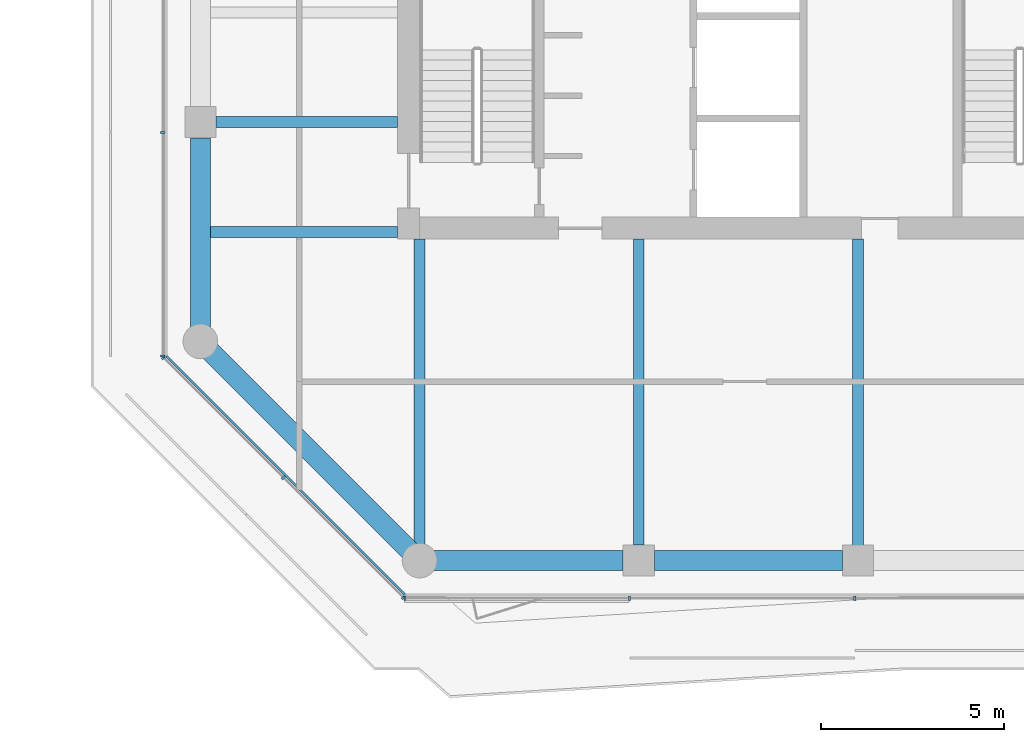
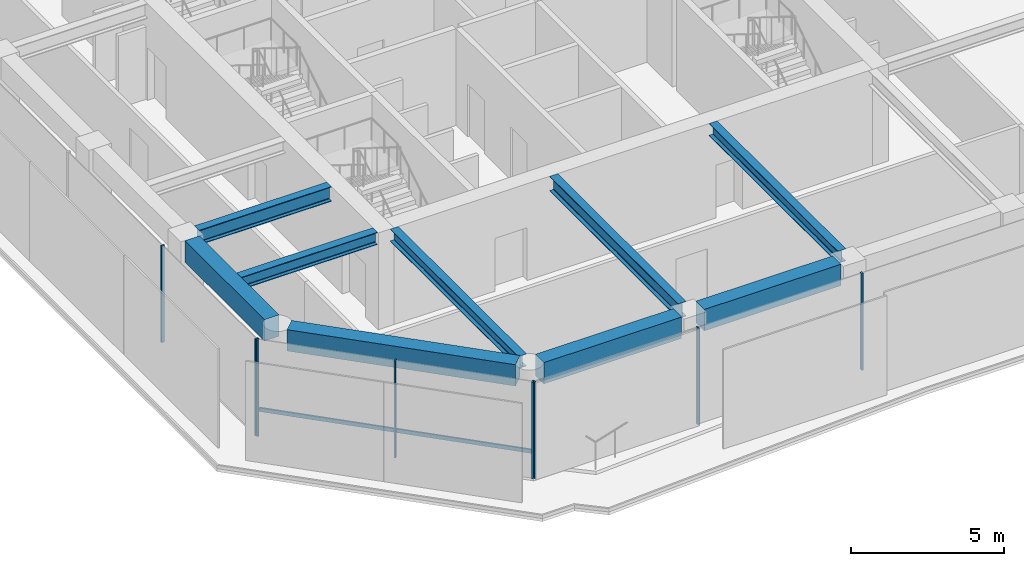
# One storey, part 2 of 21: 9 beams, 9 members, 3 elements without a shape of their own.
"""IFC4 building model written with IfcOpenShell, lengths in metres."""

from ifc_helpers import new_model, si_unit, direction, frame, origin, origin_2d, place, context, subcontext, project, spatial, rectangle, i_section, extrude, material, layer, layer_set, material_profile, profile_set, type_object, element, aggregate, save


model = new_model("IFC4")

# Units and contexts
model_context = context("Model", 3, precision=1e-05, world=origin(), true_north=direction((0.0, 1.0)))
body_context = subcontext(model_context, "Body", "Model", "MODEL_VIEW")
ifc_project = project(units=[si_unit("LENGTHUNIT", "METRE"), si_unit("AREAUNIT", "SQUARE_METRE"), si_unit("VOLUMEUNIT", "CUBIC_METRE"), si_unit("PLANEANGLEUNIT", "RADIAN"), si_unit("MASSUNIT", "GRAM", prefix="KILO")], contexts=[model_context])

# Site, building, storey
site_placement = place(None, origin())
site = spatial("IfcSite", under=ifc_project, at=site_placement, CompositionType="ELEMENT")
building_placement = place(site_placement, origin())
building = spatial("IfcBuilding", under=site, at=building_placement, Name="Welwitschia Terrace Campus", CompositionType="ELEMENT")
storey_placement = place(building_placement, frame((0.0, 0.0, 184.39990234375)))
storey = spatial("IfcBuildingStorey", under=building, at=storey_placement, Name="L41", CompositionType="ELEMENT", Elevation=184.39990234375)

# Beams
ifc_material_1 = material(Name="Steel S355", Category="steel")
ifc_material_profile_1 = material_profile(ifc_material_1, i_section(OverallWidth=0.300048828125, OverallDepth=0.489990234375, WebThickness=0.011962890625, FlangeThickness=0.02294921875, FilletRadius=0.027099609375, at=origin_2d()))
ifc_profile_set_1 = profile_set([ifc_material_profile_1], Name="Steel S355")
beam_type_1 = type_object("IfcBeamType", Name="Interior girder HE 500 A", PredefinedType="BEAM", material=ifc_profile_set_1)
beam_1_placement = place(storey_placement, frame((-0.010009765625, 5.0, 3.60498046875), z_axis=(1.0, 0.0, 0.0), x_axis=(0.0, 1.0, 0.0)))
element("IfcBeam", 1, at=beam_1_placement, inside=storey, type_object=beam_type_1, Name="Girder GB4", PredefinedType="BEAM", context=body_context, shape_type="SweptSolid", body=[
    extrude(i_section(OverallWidth=0.300048828125, OverallDepth=0.489990234375, WebThickness=0.011962890625, FlangeThickness=0.02294921875, FilletRadius=0.027099609375, at=origin_2d()), origin(), (0.0, 0.0, 1.0), 5.408935546875),
])
beam_2_placement = place(storey_placement, frame((6.0, -3.55859375, 3.60498046875), z_axis=(0.0, 1.0, 0.0), x_axis=(-1.0, 0.0, 0.0)))
element("IfcBeam", 2, at=beam_2_placement, inside=storey, type_object=beam_type_1, Name="Girder GB4", PredefinedType="BEAM", context=body_context, shape_type="SweptSolid", body=[
    extrude(i_section(OverallWidth=0.300048828125, OverallDepth=0.489990234375, WebThickness=0.011962890625, FlangeThickness=0.02294921875, FilletRadius=0.027099609375, at=origin_2d()), origin(), (0.0, 0.0, 1.0), 8.357666015625),
])
beam_3_placement = place(storey_placement, frame((18.0, -3.58447265625, 3.60498046875), z_axis=(0.0, 1.0, 0.0), x_axis=(-1.0, 0.0, 0.0)))
element("IfcBeam", 3, at=beam_3_placement, inside=storey, type_object=beam_type_1, Name="Girder GB4", PredefinedType="BEAM", context=body_context, shape_type="SweptSolid", body=[
    extrude(i_section(OverallWidth=0.300048828125, OverallDepth=0.489990234375, WebThickness=0.011962890625, FlangeThickness=0.02294921875, FilletRadius=0.027099609375, at=origin_2d()), origin(), (0.0, 0.0, 1.0), 8.383544921875),
])

# Curtain wall, members
ifc_material_2 = material(Name="Bronze anodised aluminium", Category="aluminium")
ifc_layer = layer(ifc_material_2, 0.1201171875)
ifc_layer_set = layer_set([ifc_layer], Name="Bronze anodised aluminium")
curtain_wall_type = type_object("IfcCurtainWallType", Name="Curtain wall CW2 tower 6000", PredefinedType="NOTDEFINED", material=ifc_layer_set)
curtain_wall_1_placement = place(storey_placement, origin())
curtain_wall_1 = element("IfcCurtainWall", 4, at=curtain_wall_1_placement, inside=storey, type_object=curtain_wall_type, Name="CW L41.0.0", PredefinedType="NOTDEFINED")
ifc_material_3 = material(Name="Bronze anodised aluminium", Category="aluminium")
ifc_material_profile_2 = material_profile(ifc_material_3, rectangle(XDim=0.1201171875, YDim=0.06005859375, at=origin_2d()))
ifc_profile_set_2 = profile_set([ifc_material_profile_2], Name="Bronze anodised aluminium")
member_type_1 = type_object("IfcMemberType", Name="Mullion 60x120", PredefinedType="MULLION", material=ifc_profile_set_2)
member_1_placement = place(storey_placement, frame((-1.0087890625, 1.55224609375, 0.0), z_axis=(0.0, 0.0, 1.0), x_axis=(0.707106781187, 0.707106781187, 0.0)))
member_1 = element("IfcMember", 5, at=member_1_placement, type_object=member_type_1, Name="Mullion L41.0.0.0", PredefinedType="MULLION", context=body_context, shape_type="SweptSolid", body=[
    extrude(rectangle(XDim=0.1201171875, YDim=0.06005859375, at=origin_2d()), origin(), (0.0, 0.0, 1.0), 3.85009765625),
])
member_2_placement = place(storey_placement, frame((2.271728515625, -1.728271484375, 0.0), z_axis=(0.0, 0.0, 1.0), x_axis=(0.707106781187, 0.707106781187, 0.0)))
member_2 = element("IfcMember", 6, at=member_2_placement, type_object=member_type_1, Name="Mullion L41.0.0.1", PredefinedType="MULLION", context=body_context, shape_type="SweptSolid", body=[
    extrude(rectangle(XDim=0.1201171875, YDim=0.06005859375, at=origin_2d()), origin(), (0.0, 0.0, 1.0), 3.85009765625),
])
member_3_placement = place(storey_placement, frame((5.55224609375, -5.0087890625, 0.0), z_axis=(0.0, 0.0, 1.0), x_axis=(0.707106781187, 0.707106781187, 0.0)))
member_3 = element("IfcMember", 7, at=member_3_placement, type_object=member_type_1, Name="Mullion L41.0.0.2", PredefinedType="MULLION", context=body_context, shape_type="SweptSolid", body=[
    extrude(rectangle(XDim=0.1201171875, YDim=0.06005859375, at=origin_2d()), origin(), (0.0, 0.0, 1.0), 3.85009765625),
])

curtain_wall_2_placement = place(storey_placement, origin())
curtain_wall_2 = element("IfcCurtainWall", 8, at=curtain_wall_2_placement, inside=storey, type_object=curtain_wall_type, Name="CW L41.1.0", PredefinedType="NOTDEFINED")
member_4_placement = place(storey_placement, frame((5.603271484375, -5.030029296875, 0.0), z_axis=(0.0, 0.0, 1.0), x_axis=(0.0, 1.0, 0.0)))
member_4 = element("IfcMember", 9, at=member_4_placement, type_object=member_type_1, Name="Mullion L41.1.0.0", PredefinedType="MULLION", context=body_context, shape_type="SweptSolid", body=[
    extrude(rectangle(XDim=0.1201171875, YDim=0.06005859375, at=origin_2d()), origin(), (0.0, 0.0, 1.0), 3.85009765625),
])
member_5_placement = place(storey_placement, frame((11.743896484375, -5.030029296875, 0.0), z_axis=(0.0, 0.0, 1.0), x_axis=(0.0, 1.0, 0.0)))
member_5 = element("IfcMember", 10, at=member_5_placement, type_object=member_type_1, Name="Mullion L41.1.0.1", PredefinedType="MULLION", context=body_context, shape_type="SweptSolid", body=[
    extrude(rectangle(XDim=0.1201171875, YDim=0.06005859375, at=origin_2d()), origin(), (0.0, 0.0, 1.0), 3.85009765625),
])
member_6_placement = place(storey_placement, frame((17.91455078125, -5.030029296875, 0.0), z_axis=(0.0, 0.0, 1.0), x_axis=(0.0, 1.0, 0.0)))
member_6 = element("IfcMember", 11, at=member_6_placement, type_object=member_type_1, Name="Mullion L41.1.0.2", PredefinedType="MULLION", context=body_context, shape_type="SweptSolid", body=[
    extrude(rectangle(XDim=0.1201171875, YDim=0.06005859375, at=origin_2d()), origin(), (0.0, 0.0, 1.0), 3.85009765625),
])
aggregate(curtain_wall_2, [member_4, member_5, member_6])

curtain_wall_3_placement = place(storey_placement, origin())
curtain_wall_3 = element("IfcCurtainWall", 12, at=curtain_wall_3_placement, inside=storey, type_object=curtain_wall_type, Name="CW L41.10.0", PredefinedType="NOTDEFINED")
member_7_placement = place(storey_placement, frame((-1.030029296875, 7.718994140625, 0.0), z_axis=(0.0, 0.0, 1.0), x_axis=(1.0, 0.0, 0.0)))
member_7 = element("IfcMember", 13, at=member_7_placement, type_object=member_type_1, Name="Mullion L41.10.0.9", PredefinedType="MULLION", context=body_context, shape_type="SweptSolid", body=[
    extrude(rectangle(XDim=0.1201171875, YDim=0.06005859375, at=origin_2d()), origin(), (0.0, 0.0, 1.0), 3.85009765625),
])
member_8_placement = place(storey_placement, frame((-1.030029296875, 1.603271484375, 0.0), z_axis=(0.0, 0.0, 1.0), x_axis=(1.0, 0.0, 0.0)))
member_8 = element("IfcMember", 14, at=member_8_placement, type_object=member_type_1, Name="Mullion L41.10.0.10", PredefinedType="MULLION", context=body_context, shape_type="SweptSolid", body=[
    extrude(rectangle(XDim=0.1201171875, YDim=0.06005859375, at=origin_2d()), origin(), (0.0, 0.0, 1.0), 3.85009765625),
])
aggregate(curtain_wall_3, [member_7, member_8])

# Beams
ifc_material_4 = material(Name="Steel S355", Category="steel")
ifc_material_profile_3 = material_profile(ifc_material_4, i_section(OverallWidth=0.300048828125, OverallDepth=0.590087890625, WebThickness=0.012939453125, FlangeThickness=0.02490234375, FilletRadius=0.027099609375, at=origin_2d()))
ifc_profile_set_3 = profile_set([ifc_material_profile_3], Name="Steel S355")
beam_type_2 = type_object("IfcBeamType", Name="Primary beam HE 600 A", PredefinedType="BEAM", material=ifc_profile_set_3)
beam_4_placement = place(storey_placement, frame((12.0, -3.574462890625, 3.55517578125), z_axis=(0.0, 1.0, 0.0), x_axis=(-1.0, 0.0, 0.0)))
element("IfcBeam", 15, at=beam_4_placement, inside=storey, type_object=beam_type_2, Name="Primary beam PB4", PredefinedType="BEAM", context=body_context, shape_type="SweptSolid", body=[
    extrude(i_section(OverallWidth=0.300048828125, OverallDepth=0.590087890625, WebThickness=0.012939453125, FlangeThickness=0.02490234375, FilletRadius=0.027099609375, at=origin_2d()), origin(), (0.0, 0.0, 1.0), 8.37451171875),
])
beam_5_placement = place(storey_placement, frame((0.425537109375, 8.0, 3.55517578125), z_axis=(1.0, 0.0, 0.0), x_axis=(0.0, 1.0, 0.0)))
element("IfcBeam", 16, at=beam_5_placement, inside=storey, type_object=beam_type_2, Name="Primary beam PB4", PredefinedType="BEAM", context=body_context, shape_type="SweptSolid", body=[
    extrude(i_section(OverallWidth=0.300048828125, OverallDepth=0.590087890625, WebThickness=0.012939453125, FlangeThickness=0.02490234375, FilletRadius=0.027099609375, at=origin_2d()), origin(), (0.0, 0.0, 1.0), 4.974365234375),
])
ifc_material_5 = material(Name="Concrete C50/60", Category="concrete")
ifc_material_profile_4 = material_profile(ifc_material_5, rectangle(XDim=0.550048828125, YDim=0.85009765625, at=origin_2d()))
ifc_profile_set_4 = profile_set([ifc_material_profile_4], Name="Concrete C50/60")
beam_type_3 = type_object("IfcBeamType", Name="Ring spandrel 550x850", PredefinedType="SPANDREL", material=ifc_profile_set_4)
beam_6_placement = place(storey_placement, frame((0.2744140625, 1.7255859375, 3.425048828125), z_axis=(0.707106781187, -0.707106781187, 0.0), x_axis=(0.707106781187, 0.707106781187, 0.0)))
element("IfcBeam", 17, at=beam_6_placement, inside=storey, type_object=beam_type_3, Name="Spandrel SP3", PredefinedType="SPANDREL", context=body_context, shape_type="SweptSolid", body=[
    extrude(rectangle(XDim=0.550048828125, YDim=0.85009765625, at=origin_2d()), origin(), (0.0, 0.0, 1.0), 7.709228515625),
])
beam_7_placement = place(storey_placement, frame((6.387939453125, -4.0, 3.425048828125), z_axis=(1.0, 0.0, 0.0), x_axis=(0.0, 1.0, 0.0)))
element("IfcBeam", 18, at=beam_7_placement, inside=storey, type_object=beam_type_3, Name="Spandrel SP3", PredefinedType="SPANDREL", context=body_context, shape_type="SweptSolid", body=[
    extrude(rectangle(XDim=0.550048828125, YDim=0.85009765625, at=origin_2d()), origin(), (0.0, 0.0, 1.0), 5.1865234375),
])
beam_8_placement = place(storey_placement, frame((12.425537109375, -4.0, 3.425048828125), z_axis=(1.0, 0.0, 0.0), x_axis=(0.0, 1.0, 0.0)))
element("IfcBeam", 19, at=beam_8_placement, inside=storey, type_object=beam_type_3, Name="Spandrel SP3", PredefinedType="SPANDREL", context=body_context, shape_type="SweptSolid", body=[
    extrude(rectangle(XDim=0.550048828125, YDim=0.85009765625, at=origin_2d()), origin(), (0.0, 0.0, 1.0), 5.14892578125),
])
beam_9_placement = place(storey_placement, frame((0.0, 7.574462890625, 3.425048828125), z_axis=(0.0, -1.0, 0.0), x_axis=(1.0, 0.0, 0.0)))
element("IfcBeam", 20, at=beam_9_placement, inside=storey, type_object=beam_type_3, Name="Spandrel SP3", PredefinedType="SPANDREL", context=body_context, shape_type="SweptSolid", body=[
    extrude(rectangle(XDim=0.550048828125, YDim=0.85009765625, at=origin_2d()), origin(), (0.0, 0.0, 1.0), 5.1865234375),
])

# Member
ifc_material_6 = material(Name="Bronze anodised aluminium", Category="aluminium")
ifc_material_profile_5 = material_profile(ifc_material_6, rectangle(XDim=0.06005859375, YDim=0.14990234375, at=origin_2d()))
ifc_profile_set_5 = profile_set([ifc_material_profile_5], Name="Bronze anodised aluminium")
member_type_2 = type_object("IfcMemberType", Name="Transom 60x150", PredefinedType="USERDEFINED", material=ifc_profile_set_5)
member_9_placement = place(storey_placement, frame((-0.923828125, 1.594482421875, 1.0), z_axis=(0.707106781187, -0.707106781187, 0.0), x_axis=(0.707106781187, 0.707106781187, 0.0)))
member_9 = element("IfcMember", 21, at=member_9_placement, type_object=member_type_2, Name="Transom L41.0.0", ObjectType="TRANSOM", PredefinedType="USERDEFINED", context=body_context, shape_type="SweptSolid", body=[
    extrude(rectangle(XDim=0.06005859375, YDim=0.14990234375, at=origin_2d()), origin(), (0.0, 0.0, 1.0), 9.21826171875),
])

aggregate(curtain_wall_1, [member_1, member_2, member_3, member_9])

save(model, "model.ifc")
